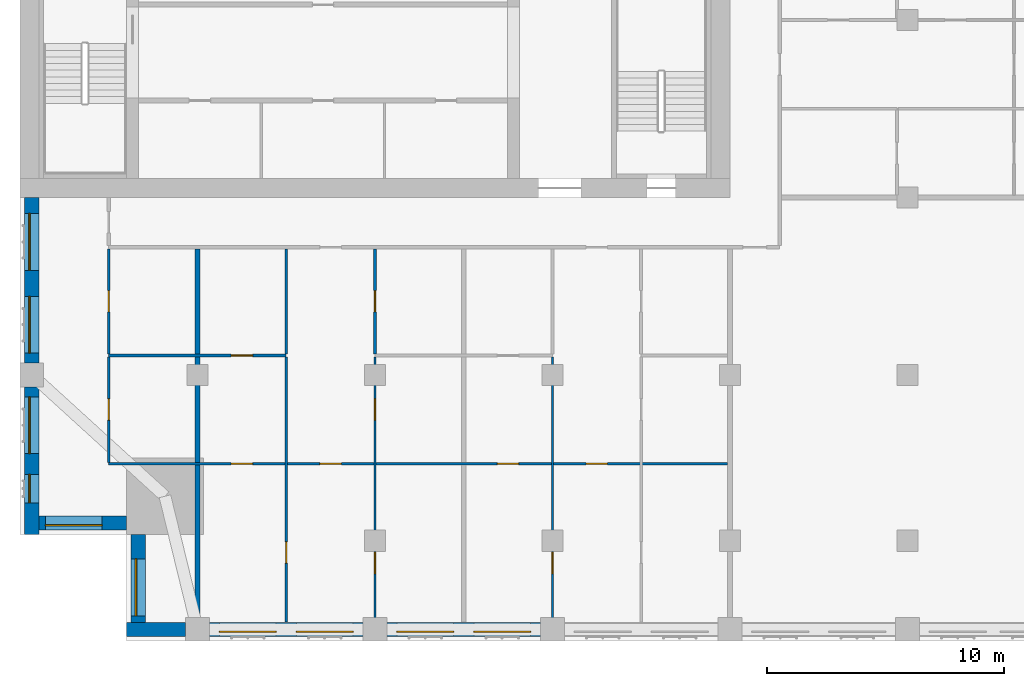
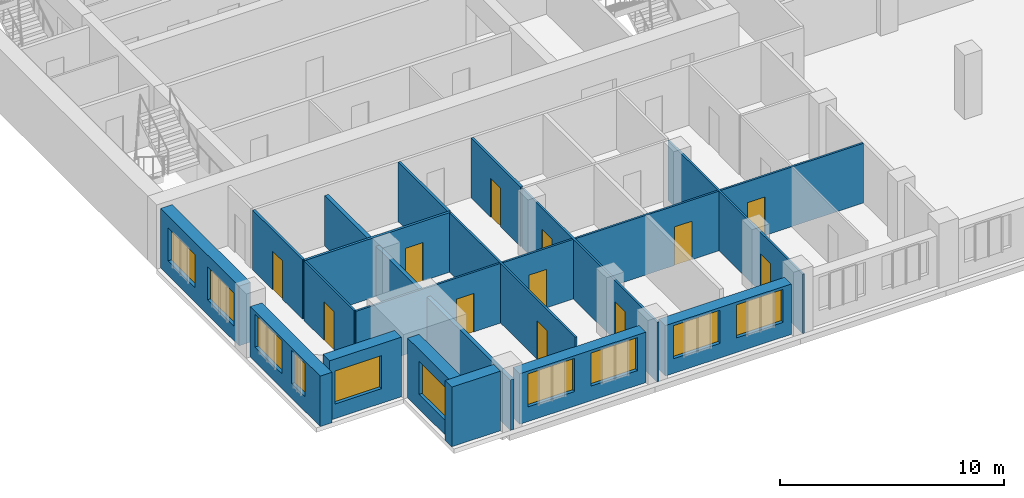
# One storey, part 6 of 14: 17 walls, 12 doors, 10 windows, 22 openings.
"""IFC4 building model written with IfcOpenShell, lengths in metres."""

from ifc_helpers import new_model, si_unit, direction, frame, frame_2d, origin, place, context, subcontext, project, spatial, rectangle, extrude, material, layer, layer_set, type_object, element, fill, save


model = new_model("IFC4")

# Units and contexts
model_context = context("Model", 3, precision=1e-05, world=origin(), true_north=direction((0.0, 1.0)))
body_context = subcontext(model_context, "Body", "Model", "MODEL_VIEW")
ifc_project = project(units=[si_unit("LENGTHUNIT", "METRE"), si_unit("AREAUNIT", "SQUARE_METRE"), si_unit("VOLUMEUNIT", "CUBIC_METRE"), si_unit("PLANEANGLEUNIT", "RADIAN"), si_unit("MASSUNIT", "GRAM", prefix="KILO")], contexts=[model_context])

# Site, building, storey
site_placement = place(None, origin())
site = spatial("IfcSite", under=ifc_project, at=site_placement, CompositionType="ELEMENT")
building_placement = place(site_placement, origin())
building = spatial("IfcBuilding", under=site, at=building_placement, Name="Tamorin Gate", CompositionType="ELEMENT")
storey_placement = place(building_placement, frame((0.0, 0.0, 207.199951171875)))
storey = spatial("IfcBuildingStorey", under=building, at=storey_placement, Name="L51", CompositionType="ELEMENT", Elevation=207.199951171875)

# Wall
ifc_material_1 = material(Name="Precast concrete C40/50", Category="concrete")
ifc_layer_1 = layer(ifc_material_1, 0.60009765625)
ifc_layer_set_1 = layer_set([ifc_layer_1], Name="Precast concrete C40/50")
wall_type_1 = type_object("IfcWallType", Name="Board-marked concrete facade panel 600", PredefinedType="SOLIDWALL", material=ifc_layer_set_1)
wall_1_placement = place(storey_placement, frame((34.5, 41.75, 0.0), z_axis=(0.0, 0.0, 1.0), x_axis=(1.0, 0.0, 0.0)))
element("IfcWall", 1, at=wall_1_placement, inside=storey, type_object=wall_type_1, Name="Facade panel", PredefinedType="SOLIDWALL", context=body_context, shape_type="SweptSolid", body=[
    extrude(rectangle(XDim=2.5, YDim=0.60009765625, at=frame_2d((1.25, 0.0))), origin(), (0.0, 0.0, 1.0), 3.25),
])

# Wall, openings, windows
wall_2_placement = place(storey_placement, frame((38.0, 41.75, 0.0), z_axis=(0.0, 0.0, 1.0), x_axis=(1.0, 0.0, 0.0)))
wall_2 = element("IfcWall", 2, at=wall_2_placement, inside=storey, type_object=wall_type_1, Name="Facade panel", PredefinedType="SOLIDWALL", context=body_context, shape_type="SweptSolid", body=[
    extrude(rectangle(XDim=6.5, YDim=0.60009765625, at=frame_2d((3.25, 0.0))), origin(), (0.0, 0.0, 1.0), 2.75),
])
opening_1_placement = place(wall_2_placement, frame((0.425048828125, 0.0, 0.800048828125)))
opening_1 = element("IfcOpeningElement", 3, at=opening_1_placement, cuts=wall_2, Name="Opening WN1", PredefinedType="OPENING", context=body_context, shape_type="SweptSolid", body=[
    extrude(rectangle(XDim=2.39990234375, YDim=1.800048828125, at=frame_2d((1.199951171875, 0.89990234375))), frame((0.0, 0.31005859375, 0.0), z_axis=(0.0, -1.0, 0.0), x_axis=(1.0, 0.0, 0.0)), (0.0, 0.0, 1.0), 0.6201171875),
])
opening_2_placement = place(wall_2_placement, frame((3.675048828125, 0.0, 0.800048828125)))
opening_2 = element("IfcOpeningElement", 4, at=opening_2_placement, cuts=wall_2, Name="Opening WN1", PredefinedType="OPENING", context=body_context, shape_type="SweptSolid", body=[
    extrude(rectangle(XDim=2.39990234375, YDim=1.800048828125, at=frame_2d((1.199951171875, 0.89990234375))), frame((0.0, 0.31005859375, 0.0), z_axis=(0.0, -1.0, 0.0), x_axis=(1.0, 0.0, 0.0)), (0.0, 0.0, 1.0), 0.6201171875),
])
ifc_material_2 = material(Name="Clear glass in aluminium frame", Category="aluminium")
window_type_1 = type_object("IfcWindowType", Name="Deep-set window 2400x1800", PartitioningType="SINGLE_PANEL", PredefinedType="WINDOW", material=ifc_material_2)
window_1_placement = place(opening_1_placement, origin())
window_1 = element("IfcWindow", 5, at=window_1_placement, inside=storey, type_object=window_type_1, Name="Deep-set window", OverallHeight=1.800048828125, OverallWidth=2.39990234375, PartitioningType="SINGLE_PANEL", PredefinedType="WINDOW", context=body_context, shape_type="SweptSolid", body=[
    extrude(rectangle(XDim=2.39990234375, YDim=1.800048828125, at=frame_2d((1.199951171875, 0.89990234375))), frame((0.0, -0.070068359375, 0.0), z_axis=(0.0, -1.0, 0.0), x_axis=(1.0, 0.0, 0.0)), (0.0, 0.0, 1.0), 0.06005859375),
])
fill(opening_1, window_1)
window_2_placement = place(opening_2_placement, origin())
window_2 = element("IfcWindow", 6, at=window_2_placement, inside=storey, type_object=window_type_1, Name="Deep-set window", OverallHeight=1.800048828125, OverallWidth=2.39990234375, PartitioningType="SINGLE_PANEL", PredefinedType="WINDOW", context=body_context, shape_type="SweptSolid", body=[
    extrude(rectangle(XDim=2.39990234375, YDim=1.800048828125, at=frame_2d((1.199951171875, 0.89990234375))), frame((0.0, -0.070068359375, 0.0), z_axis=(0.0, -1.0, 0.0), x_axis=(1.0, 0.0, 0.0)), (0.0, 0.0, 1.0), 0.06005859375),
])
fill(opening_2, window_2)

wall_3_placement = place(storey_placement, frame((45.5, 41.75, 0.0), z_axis=(0.0, 0.0, 1.0), x_axis=(1.0, 0.0, 0.0)))
wall_3 = element("IfcWall", 7, at=wall_3_placement, inside=storey, type_object=wall_type_1, Name="Facade panel", PredefinedType="SOLIDWALL", context=body_context, shape_type="SweptSolid", body=[
    extrude(rectangle(XDim=6.5, YDim=0.60009765625, at=frame_2d((3.25, 0.0))), origin(), (0.0, 0.0, 1.0), 2.75),
])
opening_3_placement = place(wall_3_placement, frame((0.425048828125, 0.0, 0.800048828125)))
opening_3 = element("IfcOpeningElement", 8, at=opening_3_placement, cuts=wall_3, Name="Opening WN1", PredefinedType="OPENING", context=body_context, shape_type="SweptSolid", body=[
    extrude(rectangle(XDim=2.39990234375, YDim=1.800048828125, at=frame_2d((1.199951171875, 0.89990234375))), frame((0.0, 0.31005859375, 0.0), z_axis=(0.0, -1.0, 0.0), x_axis=(1.0, 0.0, 0.0)), (0.0, 0.0, 1.0), 0.6201171875),
])
opening_4_placement = place(wall_3_placement, frame((3.675048828125, 0.0, 0.800048828125)))
opening_4 = element("IfcOpeningElement", 9, at=opening_4_placement, cuts=wall_3, Name="Opening WN1", PredefinedType="OPENING", context=body_context, shape_type="SweptSolid", body=[
    extrude(rectangle(XDim=2.39990234375, YDim=1.800048828125, at=frame_2d((1.199951171875, 0.89990234375))), frame((0.0, 0.31005859375, 0.0), z_axis=(0.0, -1.0, 0.0), x_axis=(1.0, 0.0, 0.0)), (0.0, 0.0, 1.0), 0.6201171875),
])
window_3_placement = place(opening_3_placement, origin())
window_3 = element("IfcWindow", 10, at=window_3_placement, inside=storey, type_object=window_type_1, Name="Deep-set window", OverallHeight=1.800048828125, OverallWidth=2.39990234375, PartitioningType="SINGLE_PANEL", PredefinedType="WINDOW", context=body_context, shape_type="SweptSolid", body=[
    extrude(rectangle(XDim=2.39990234375, YDim=1.800048828125, at=frame_2d((1.199951171875, 0.89990234375))), frame((0.0, -0.070068359375, 0.0), z_axis=(0.0, -1.0, 0.0), x_axis=(1.0, 0.0, 0.0)), (0.0, 0.0, 1.0), 0.06005859375),
])
fill(opening_3, window_3)
window_4_placement = place(opening_4_placement, origin())
window_4 = element("IfcWindow", 11, at=window_4_placement, inside=storey, type_object=window_type_1, Name="Deep-set window", OverallHeight=1.800048828125, OverallWidth=2.39990234375, PartitioningType="SINGLE_PANEL", PredefinedType="WINDOW", context=body_context, shape_type="SweptSolid", body=[
    extrude(rectangle(XDim=2.39990234375, YDim=1.800048828125, at=frame_2d((1.199951171875, 0.89990234375))), frame((0.0, -0.070068359375, 0.0), z_axis=(0.0, -1.0, 0.0), x_axis=(1.0, 0.0, 0.0)), (0.0, 0.0, 1.0), 0.06005859375),
])
fill(opening_4, window_4)

wall_4_placement = place(storey_placement, frame((30.5, 60.0, 0.0), z_axis=(0.0, 0.0, 1.0), x_axis=(0.0, -1.0, 0.0)))
wall_4 = element("IfcWall", 12, at=wall_4_placement, inside=storey, type_object=wall_type_1, Name="Facade panel", PredefinedType="SOLIDWALL", context=body_context, shape_type="SweptSolid", body=[
    extrude(rectangle(XDim=7.0, YDim=0.60009765625, at=frame_2d((3.5, 0.0))), origin(), (0.0, 0.0, 1.0), 3.25),
])
opening_5_placement = place(wall_4_placement, frame((4.175048828125, 0.0, 0.800048828125)))
opening_5 = element("IfcOpeningElement", 13, at=opening_5_placement, cuts=wall_4, Name="Opening WN1", PredefinedType="OPENING", context=body_context, shape_type="SweptSolid", body=[
    extrude(rectangle(XDim=2.39990234375, YDim=1.800048828125, at=frame_2d((1.199951171875, 0.89990234375))), frame((0.0, 0.31005859375, 0.0), z_axis=(0.0, -1.0, 0.0), x_axis=(1.0, 0.0, 0.0)), (0.0, 0.0, 1.0), 0.6201171875),
])
opening_6_placement = place(wall_4_placement, frame((0.675048828125, 0.0, 0.800048828125)))
opening_6 = element("IfcOpeningElement", 14, at=opening_6_placement, cuts=wall_4, Name="Opening WN1", PredefinedType="OPENING", context=body_context, shape_type="SweptSolid", body=[
    extrude(rectangle(XDim=2.39990234375, YDim=1.800048828125, at=frame_2d((1.199951171875, 0.89990234375))), frame((0.0, 0.31005859375, 0.0), z_axis=(0.0, -1.0, 0.0), x_axis=(1.0, 0.0, 0.0)), (0.0, 0.0, 1.0), 0.6201171875),
])
window_5_placement = place(opening_5_placement, origin())
window_5 = element("IfcWindow", 15, at=window_5_placement, inside=storey, type_object=window_type_1, Name="Deep-set window", OverallHeight=1.800048828125, OverallWidth=2.39990234375, PartitioningType="SINGLE_PANEL", PredefinedType="WINDOW", context=body_context, shape_type="SweptSolid", body=[
    extrude(rectangle(XDim=2.39990234375, YDim=1.800048828125, at=frame_2d((1.199951171875, 0.89990234375))), frame((0.0, -0.070068359375, 0.0), z_axis=(0.0, -1.0, 0.0), x_axis=(1.0, 0.0, 0.0)), (0.0, 0.0, 1.0), 0.06005859375),
])
fill(opening_5, window_5)
window_6_placement = place(opening_6_placement, origin())
window_6 = element("IfcWindow", 16, at=window_6_placement, inside=storey, type_object=window_type_1, Name="Deep-set window", OverallHeight=1.800048828125, OverallWidth=2.39990234375, PartitioningType="SINGLE_PANEL", PredefinedType="WINDOW", context=body_context, shape_type="SweptSolid", body=[
    extrude(rectangle(XDim=2.39990234375, YDim=1.800048828125, at=frame_2d((1.199951171875, 0.89990234375))), frame((0.0, -0.070068359375, 0.0), z_axis=(0.0, -1.0, 0.0), x_axis=(1.0, 0.0, 0.0)), (0.0, 0.0, 1.0), 0.06005859375),
])
fill(opening_6, window_6)

wall_5_placement = place(storey_placement, frame((30.5, 52.0, 0.0), z_axis=(0.0, 0.0, 1.0), x_axis=(0.0, -1.0, 0.0)))
wall_5 = element("IfcWall", 17, at=wall_5_placement, inside=storey, type_object=wall_type_1, Name="Facade panel", PredefinedType="SOLIDWALL", context=body_context, shape_type="SweptSolid", body=[
    extrude(rectangle(XDim=6.25, YDim=0.60009765625, at=frame_2d((3.125, 0.0))), origin(), (0.0, 0.0, 1.0), 2.75),
])
opening_7_placement = place(wall_5_placement, frame((3.699951171875, 0.0, 0.800048828125)))
opening_7 = element("IfcOpeningElement", 18, at=opening_7_placement, cuts=wall_5, Name="Opening WN3", PredefinedType="OPENING", context=body_context, shape_type="SweptSolid", body=[
    extrude(rectangle(XDim=1.199951171875, YDim=1.800048828125, at=frame_2d((0.60009765625, 0.89990234375))), frame((0.0, 0.31005859375, 0.0), z_axis=(0.0, -1.0, 0.0), x_axis=(1.0, 0.0, 0.0)), (0.0, 0.0, 1.0), 0.6201171875),
])
opening_8_placement = place(wall_5_placement, frame((0.425048828125, 0.0, 0.800048828125)))
opening_8 = element("IfcOpeningElement", 19, at=opening_8_placement, cuts=wall_5, Name="Opening WN1", PredefinedType="OPENING", context=body_context, shape_type="SweptSolid", body=[
    extrude(rectangle(XDim=2.39990234375, YDim=1.800048828125, at=frame_2d((1.199951171875, 0.89990234375))), frame((0.0, 0.31005859375, 0.0), z_axis=(0.0, -1.0, 0.0), x_axis=(1.0, 0.0, 0.0)), (0.0, 0.0, 1.0), 0.6201171875),
])
window_type_2 = type_object("IfcWindowType", Name="Deep-set window 1200x1800", PartitioningType="SINGLE_PANEL", PredefinedType="WINDOW", material=ifc_material_2)
window_7_placement = place(opening_7_placement, origin())
window_7 = element("IfcWindow", 20, at=window_7_placement, inside=storey, type_object=window_type_2, Name="Deep-set window", OverallHeight=1.800048828125, OverallWidth=1.199951171875, PartitioningType="SINGLE_PANEL", PredefinedType="WINDOW", context=body_context, shape_type="SweptSolid", body=[
    extrude(rectangle(XDim=1.199951171875, YDim=1.800048828125, at=frame_2d((0.60009765625, 0.89990234375))), frame((0.0, -0.070068359375, 0.0), z_axis=(0.0, -1.0, 0.0), x_axis=(1.0, 0.0, 0.0)), (0.0, 0.0, 1.0), 0.06005859375),
])
fill(opening_7, window_7)
window_8_placement = place(opening_8_placement, origin())
window_8 = element("IfcWindow", 21, at=window_8_placement, inside=storey, type_object=window_type_1, Name="Deep-set window", OverallHeight=1.800048828125, OverallWidth=2.39990234375, PartitioningType="SINGLE_PANEL", PredefinedType="WINDOW", context=body_context, shape_type="SweptSolid", body=[
    extrude(rectangle(XDim=2.39990234375, YDim=1.800048828125, at=frame_2d((1.199951171875, 0.89990234375))), frame((0.0, -0.070068359375, 0.0), z_axis=(0.0, -1.0, 0.0), x_axis=(1.0, 0.0, 0.0)), (0.0, 0.0, 1.0), 0.06005859375),
])
fill(opening_8, window_8)

# Wall, opening, window
wall_6_placement = place(storey_placement, frame((30.800048828125, 46.25, 0.0), z_axis=(0.0, 0.0, 1.0), x_axis=(1.0, 0.0, 0.0)))
wall_6 = element("IfcWall", 22, at=wall_6_placement, inside=storey, type_object=wall_type_1, Name="Facade panel", PredefinedType="SOLIDWALL", context=body_context, shape_type="SweptSolid", body=[
    extrude(rectangle(XDim=3.699951171875, YDim=0.60009765625, at=frame_2d((1.85009765625, 0.0))), origin(), (0.0, 0.0, 1.0), 3.25),
])
opening_9_placement = place(wall_6_placement, frame((0.27490234375, 0.0, 0.800048828125)))
opening_9 = element("IfcOpeningElement", 23, at=opening_9_placement, cuts=wall_6, Name="Opening WN1", PredefinedType="OPENING", context=body_context, shape_type="SweptSolid", body=[
    extrude(rectangle(XDim=2.39990234375, YDim=1.800048828125, at=frame_2d((1.199951171875, 0.89990234375))), frame((0.0, 0.31005859375, 0.0), z_axis=(0.0, -1.0, 0.0), x_axis=(1.0, 0.0, 0.0)), (0.0, 0.0, 1.0), 0.6201171875),
])
window_9_placement = place(opening_9_placement, origin())
window_9 = element("IfcWindow", 24, at=window_9_placement, inside=storey, type_object=window_type_1, Name="Deep-set window", OverallHeight=1.800048828125, OverallWidth=2.39990234375, PartitioningType="SINGLE_PANEL", PredefinedType="WINDOW", context=body_context, shape_type="SweptSolid", body=[
    extrude(rectangle(XDim=2.39990234375, YDim=1.800048828125, at=frame_2d((1.199951171875, 0.89990234375))), frame((0.0, -0.070068359375, 0.0), z_axis=(0.0, -1.0, 0.0), x_axis=(1.0, 0.0, 0.0)), (0.0, 0.0, 1.0), 0.06005859375),
])
fill(opening_9, window_9)

wall_7_placement = place(storey_placement, frame((35.0, 45.75, 0.0), z_axis=(0.0, 0.0, 1.0), x_axis=(0.0, -1.0, 0.0)))
wall_7 = element("IfcWall", 25, at=wall_7_placement, inside=storey, type_object=wall_type_1, Name="Facade panel", PredefinedType="SOLIDWALL", context=body_context, shape_type="SweptSolid", body=[
    extrude(rectangle(XDim=3.699951171875, YDim=0.60009765625, at=frame_2d((1.85009765625, 0.0))), origin(), (0.0, 0.0, 1.0), 3.25),
])
opening_10_placement = place(wall_7_placement, frame((1.02490234375, 0.0, 0.800048828125)))
opening_10 = element("IfcOpeningElement", 26, at=opening_10_placement, cuts=wall_7, Name="Opening WN1", PredefinedType="OPENING", context=body_context, shape_type="SweptSolid", body=[
    extrude(rectangle(XDim=2.39990234375, YDim=1.800048828125, at=frame_2d((1.199951171875, 0.89990234375))), frame((0.0, 0.31005859375, 0.0), z_axis=(0.0, -1.0, 0.0), x_axis=(1.0, 0.0, 0.0)), (0.0, 0.0, 1.0), 0.6201171875),
])
window_10_placement = place(opening_10_placement, origin())
window_10 = element("IfcWindow", 27, at=window_10_placement, inside=storey, type_object=window_type_1, Name="Deep-set window", OverallHeight=1.800048828125, OverallWidth=2.39990234375, PartitioningType="SINGLE_PANEL", PredefinedType="WINDOW", context=body_context, shape_type="SweptSolid", body=[
    extrude(rectangle(XDim=2.39990234375, YDim=1.800048828125, at=frame_2d((1.199951171875, 0.89990234375))), frame((0.0, -0.070068359375, 0.0), z_axis=(0.0, -1.0, 0.0), x_axis=(1.0, 0.0, 0.0)), (0.0, 0.0, 1.0), 0.06005859375),
])
fill(opening_10, window_10)

# Wall
ifc_material_3 = material(Name="Gypsum board partition")
ifc_layer_2 = layer(ifc_material_3, 0.199951171875)
ifc_layer_set_2 = layer_set([ifc_layer_2], Name="Demising wall 200")
wall_type_2 = type_object("IfcWallType", Name="Demising wall 200", PredefinedType="PARTITIONING", material=ifc_layer_set_2)
wall_8_placement = place(storey_placement, frame((37.5, 41.25, 0.0), z_axis=(0.0, 0.0, 1.0), x_axis=(0.0, 1.0, 0.0)))
element("IfcWall", 28, at=wall_8_placement, inside=storey, type_object=wall_type_2, Name="Demising wall 200", PredefinedType="PARTITIONING", context=body_context, shape_type="SweptSolid", body=[
    extrude(rectangle(XDim=16.574951171875, YDim=0.199951171875, at=frame_2d((8.28759765625, 0.0))), origin(), (0.0, 0.0, 1.0), 2.75),
])

# Wall, openings, doors
ifc_layer_3 = layer(ifc_material_3, 0.10009765625)
ifc_layer_set_3 = layer_set([ifc_layer_3], Name="Room partition 100")
wall_type_3 = type_object("IfcWallType", Name="Room partition 100", PredefinedType="PARTITIONING", material=ifc_layer_set_3)
wall_9_placement = place(storey_placement, frame((33.75, 48.75, 0.0), z_axis=(0.0, 0.0, 1.0), x_axis=(1.0, 0.0, 0.0)))
wall_9 = element("IfcWall", 29, at=wall_9_placement, inside=storey, type_object=wall_type_3, Name="Room partition 100", PredefinedType="PARTITIONING", context=body_context, shape_type="SweptSolid", body=[
    extrude(rectangle(XDim=26.14990234375, YDim=0.10009765625, at=frame_2d((13.074951171875, 0.0))), origin(), (0.0, 0.0, 1.0), 3.25),
])
opening_11_placement = place(wall_9_placement, frame((5.175048828125, 0.0, 0.0)))
opening_11 = element("IfcOpeningElement", 30, at=opening_11_placement, cuts=wall_9, Name="Opening DR1004", PredefinedType="OPENING", context=body_context, shape_type="SweptSolid", body=[
    extrude(rectangle(XDim=0.89990234375, YDim=2.10009765625, at=frame_2d((0.449951171875, 1.050048828125))), frame((0.0, 0.06005859375, 0.0), z_axis=(0.0, -1.0, 0.0), x_axis=(1.0, 0.0, 0.0)), (0.0, 0.0, 1.0), 0.1201171875),
])
opening_12_placement = place(wall_9_placement, frame((8.925048828125, 0.0, 0.0)))
opening_12 = element("IfcOpeningElement", 31, at=opening_12_placement, cuts=wall_9, Name="Opening DR1007", PredefinedType="OPENING", context=body_context, shape_type="SweptSolid", body=[
    extrude(rectangle(XDim=0.89990234375, YDim=2.10009765625, at=frame_2d((0.449951171875, 1.050048828125))), frame((0.0, 0.06005859375, 0.0), z_axis=(0.0, -1.0, 0.0), x_axis=(1.0, 0.0, 0.0)), (0.0, 0.0, 1.0), 0.1201171875),
])
opening_13_placement = place(wall_9_placement, frame((16.425048828125, 0.0, 0.0)))
opening_13 = element("IfcOpeningElement", 32, at=opening_13_placement, cuts=wall_9, Name="Opening DR1012", PredefinedType="OPENING", context=body_context, shape_type="SweptSolid", body=[
    extrude(rectangle(XDim=0.89990234375, YDim=2.10009765625, at=frame_2d((0.449951171875, 1.050048828125))), frame((0.0, 0.06005859375, 0.0), z_axis=(0.0, -1.0, 0.0), x_axis=(1.0, 0.0, 0.0)), (0.0, 0.0, 1.0), 0.1201171875),
])
opening_14_placement = place(wall_9_placement, frame((20.175048828125, 0.0, 0.0)))
opening_14 = element("IfcOpeningElement", 33, at=opening_14_placement, cuts=wall_9, Name="Opening DR1015", PredefinedType="OPENING", context=body_context, shape_type="SweptSolid", body=[
    extrude(rectangle(XDim=0.89990234375, YDim=2.10009765625, at=frame_2d((0.449951171875, 1.050048828125))), frame((0.0, 0.06005859375, 0.0), z_axis=(0.0, -1.0, 0.0), x_axis=(1.0, 0.0, 0.0)), (0.0, 0.0, 1.0), 0.1201171875),
])
ifc_material_4 = material(Name="Timber door leaf", Category="wood")
door_type = type_object("IfcDoorType", Name="Door 900 x 2100", OperationType="NOTDEFINED", PredefinedType="DOOR", material=ifc_material_4)
door_1_placement = place(opening_11_placement, origin())
door_1 = element("IfcDoor", 34, at=door_1_placement, inside=storey, type_object=door_type, Name="Door DR1004", OperationType="SINGLE_SWING_LEFT", OverallHeight=2.10009765625, OverallWidth=0.89990234375, PredefinedType="DOOR", context=body_context, shape_type="SweptSolid", body=[
    extrude(rectangle(XDim=0.89990234375, YDim=2.10009765625, at=frame_2d((0.449951171875, 1.050048828125))), frame((0.0, 0.02490234375, 0.0), z_axis=(0.0, -1.0, 0.0), x_axis=(1.0, 0.0, 0.0)), (0.0, 0.0, 1.0), 0.050048828125),
])
fill(opening_11, door_1)
door_2_placement = place(opening_12_placement, origin())
door_2 = element("IfcDoor", 35, at=door_2_placement, inside=storey, type_object=door_type, Name="Door DR1007", OperationType="SINGLE_SWING_LEFT", OverallHeight=2.10009765625, OverallWidth=0.89990234375, PredefinedType="DOOR", context=body_context, shape_type="SweptSolid", body=[
    extrude(rectangle(XDim=0.89990234375, YDim=2.10009765625, at=frame_2d((0.449951171875, 1.050048828125))), frame((0.0, 0.02490234375, 0.0), z_axis=(0.0, -1.0, 0.0), x_axis=(1.0, 0.0, 0.0)), (0.0, 0.0, 1.0), 0.050048828125),
])
fill(opening_12, door_2)
door_3_placement = place(opening_13_placement, origin())
door_3 = element("IfcDoor", 36, at=door_3_placement, inside=storey, type_object=door_type, Name="Door DR1012", OperationType="SINGLE_SWING_LEFT", OverallHeight=2.10009765625, OverallWidth=0.89990234375, PredefinedType="DOOR", context=body_context, shape_type="SweptSolid", body=[
    extrude(rectangle(XDim=0.89990234375, YDim=2.10009765625, at=frame_2d((0.449951171875, 1.050048828125))), frame((0.0, 0.02490234375, 0.0), z_axis=(0.0, -1.0, 0.0), x_axis=(1.0, 0.0, 0.0)), (0.0, 0.0, 1.0), 0.050048828125),
])
fill(opening_13, door_3)
door_4_placement = place(opening_14_placement, origin())
door_4 = element("IfcDoor", 37, at=door_4_placement, inside=storey, type_object=door_type, Name="Door DR1015", OperationType="SINGLE_SWING_LEFT", OverallHeight=2.10009765625, OverallWidth=0.89990234375, PredefinedType="DOOR", context=body_context, shape_type="SweptSolid", body=[
    extrude(rectangle(XDim=0.89990234375, YDim=2.10009765625, at=frame_2d((0.449951171875, 1.050048828125))), frame((0.0, 0.02490234375, 0.0), z_axis=(0.0, -1.0, 0.0), x_axis=(1.0, 0.0, 0.0)), (0.0, 0.0, 1.0), 0.050048828125),
])
fill(opening_14, door_4)

# Wall, opening, door
wall_10_placement = place(storey_placement, frame((33.75, 48.800048828125, 0.0), z_axis=(0.0, 0.0, 1.0), x_axis=(0.0, 1.0, 0.0)))
wall_10 = element("IfcWall", 38, at=wall_10_placement, inside=storey, type_object=wall_type_3, Name="Room partition 100", PredefinedType="PARTITIONING", context=body_context, shape_type="SweptSolid", body=[
    extrude(rectangle(XDim=4.46240234375, YDim=0.10009765625, at=frame_2d((2.231201171875, 0.0))), origin(), (0.0, 0.0, 1.0), 3.25),
])
opening_15_placement = place(wall_10_placement, frame((1.78759765625, 0.0, 0.0)))
opening_15 = element("IfcOpeningElement", 39, at=opening_15_placement, cuts=wall_10, Name="Opening DR1002", PredefinedType="OPENING", context=body_context, shape_type="SweptSolid", body=[
    extrude(rectangle(XDim=0.89990234375, YDim=2.10009765625, at=frame_2d((0.449951171875, 1.050048828125))), frame((0.0, 0.06005859375, 0.0), z_axis=(0.0, -1.0, 0.0), x_axis=(1.0, 0.0, 0.0)), (0.0, 0.0, 1.0), 0.1201171875),
])
door_5_placement = place(opening_15_placement, origin())
door_5 = element("IfcDoor", 40, at=door_5_placement, inside=storey, type_object=door_type, Name="Door DR1002", OperationType="SINGLE_SWING_RIGHT", OverallHeight=2.10009765625, OverallWidth=0.89990234375, PredefinedType="DOOR", context=body_context, shape_type="SweptSolid", body=[
    extrude(rectangle(XDim=0.89990234375, YDim=2.10009765625, at=frame_2d((0.449951171875, 1.050048828125))), frame((0.0, 0.02490234375, 0.0), z_axis=(0.0, -1.0, 0.0), x_axis=(1.0, 0.0, 0.0)), (0.0, 0.0, 1.0), 0.050048828125),
])
fill(opening_15, door_5)

wall_11_placement = place(storey_placement, frame((41.25, 42.06005859375, 0.0), z_axis=(0.0, 0.0, 1.0), x_axis=(0.0, 1.0, 0.0)))
wall_11 = element("IfcWall", 41, at=wall_11_placement, inside=storey, type_object=wall_type_3, Name="Room partition 100", PredefinedType="PARTITIONING", context=body_context, shape_type="SweptSolid", body=[
    extrude(rectangle(XDim=11.202392578125, YDim=0.10009765625, at=frame_2d((5.60107421875, 0.0))), origin(), (0.0, 0.0, 1.0), 3.25),
])
opening_16_placement = place(wall_11_placement, frame((2.489990234375, 0.0, 0.0)))
opening_16 = element("IfcOpeningElement", 42, at=opening_16_placement, cuts=wall_11, Name="Opening DR1010", PredefinedType="OPENING", context=body_context, shape_type="SweptSolid", body=[
    extrude(rectangle(XDim=0.89990234375, YDim=2.10009765625, at=frame_2d((0.449951171875, 1.050048828125))), frame((0.0, 0.06005859375, 0.0), z_axis=(0.0, -1.0, 0.0), x_axis=(1.0, 0.0, 0.0)), (0.0, 0.0, 1.0), 0.1201171875),
])
door_6_placement = place(opening_16_placement, origin())
door_6 = element("IfcDoor", 43, at=door_6_placement, inside=storey, type_object=door_type, Name="Door DR1010", OperationType="SINGLE_SWING_LEFT", OverallHeight=2.10009765625, OverallWidth=0.89990234375, PredefinedType="DOOR", context=body_context, shape_type="SweptSolid", body=[
    extrude(rectangle(XDim=0.89990234375, YDim=2.10009765625, at=frame_2d((0.449951171875, 1.050048828125))), frame((0.0, 0.02490234375, 0.0), z_axis=(0.0, -1.0, 0.0), x_axis=(1.0, 0.0, 0.0)), (0.0, 0.0, 1.0), 0.050048828125),
])
fill(opening_16, door_6)

# Wall, openings, doors
wall_12_placement = place(storey_placement, frame((45.0, 41.25, 0.0), z_axis=(0.0, 0.0, 1.0), x_axis=(0.0, 1.0, 0.0)))
wall_12 = element("IfcWall", 44, at=wall_12_placement, inside=storey, type_object=wall_type_3, Name="Room partition 100", PredefinedType="PARTITIONING", context=body_context, shape_type="SweptSolid", body=[
    extrude(rectangle(XDim=12.012451171875, YDim=0.10009765625, at=frame_2d((6.00634765625, 0.0))), origin(), (0.0, 0.0, 1.0), 3.25),
])
opening_17_placement = place(wall_12_placement, frame((9.33740234375, 0.0, 0.0)))
opening_17 = element("IfcOpeningElement", 45, at=opening_17_placement, cuts=wall_12, Name="Opening DR1008", PredefinedType="OPENING", context=body_context, shape_type="SweptSolid", body=[
    extrude(rectangle(XDim=0.89990234375, YDim=2.10009765625, at=frame_2d((0.449951171875, 1.050048828125))), frame((0.0, 0.06005859375, 0.0), z_axis=(0.0, -1.0, 0.0), x_axis=(1.0, 0.0, 0.0)), (0.0, 0.0, 1.0), 0.1201171875),
])
opening_18_placement = place(wall_12_placement, frame((2.85009765625, 0.0, 0.0)))
opening_18 = element("IfcOpeningElement", 46, at=opening_18_placement, cuts=wall_12, Name="Opening DR1011", PredefinedType="OPENING", context=body_context, shape_type="SweptSolid", body=[
    extrude(rectangle(XDim=0.89990234375, YDim=2.10009765625, at=frame_2d((0.449951171875, 1.050048828125))), frame((0.0, 0.06005859375, 0.0), z_axis=(0.0, -1.0, 0.0), x_axis=(1.0, 0.0, 0.0)), (0.0, 0.0, 1.0), 0.1201171875),
])
door_7_placement = place(opening_17_placement, origin())
door_7 = element("IfcDoor", 47, at=door_7_placement, inside=storey, type_object=door_type, Name="Door DR1008", OperationType="SINGLE_SWING_RIGHT", OverallHeight=2.10009765625, OverallWidth=0.89990234375, PredefinedType="DOOR", context=body_context, shape_type="SweptSolid", body=[
    extrude(rectangle(XDim=0.89990234375, YDim=2.10009765625, at=frame_2d((0.449951171875, 1.050048828125))), frame((0.0, 0.02490234375, 0.0), z_axis=(0.0, -1.0, 0.0), x_axis=(1.0, 0.0, 0.0)), (0.0, 0.0, 1.0), 0.050048828125),
])
fill(opening_17, door_7)
door_8_placement = place(opening_18_placement, origin())
door_8 = element("IfcDoor", 48, at=door_8_placement, inside=storey, type_object=door_type, Name="Door DR1011", OperationType="SINGLE_SWING_LEFT", OverallHeight=2.10009765625, OverallWidth=0.89990234375, PredefinedType="DOOR", context=body_context, shape_type="SweptSolid", body=[
    extrude(rectangle(XDim=0.89990234375, YDim=2.10009765625, at=frame_2d((0.449951171875, 1.050048828125))), frame((0.0, 0.02490234375, 0.0), z_axis=(0.0, -1.0, 0.0), x_axis=(1.0, 0.0, 0.0)), (0.0, 0.0, 1.0), 0.050048828125),
])
fill(opening_18, door_8)

# Wall, opening, door
wall_13_placement = place(storey_placement, frame((52.5, 41.25, 0.0), z_axis=(0.0, 0.0, 1.0), x_axis=(0.0, 1.0, 0.0)))
wall_13 = element("IfcWall", 49, at=wall_13_placement, inside=storey, type_object=wall_type_3, Name="Room partition 100", PredefinedType="PARTITIONING", context=body_context, shape_type="SweptSolid", body=[
    extrude(rectangle(XDim=12.012451171875, YDim=0.10009765625, at=frame_2d((6.00634765625, 0.0))), origin(), (0.0, 0.0, 1.0), 3.25),
])
opening_19_placement = place(wall_13_placement, frame((2.85009765625, 0.0, 0.0)))
opening_19 = element("IfcOpeningElement", 50, at=opening_19_placement, cuts=wall_13, Name="Opening DR1018", PredefinedType="OPENING", context=body_context, shape_type="SweptSolid", body=[
    extrude(rectangle(XDim=0.89990234375, YDim=2.10009765625, at=frame_2d((0.449951171875, 1.050048828125))), frame((0.0, 0.06005859375, 0.0), z_axis=(0.0, -1.0, 0.0), x_axis=(1.0, 0.0, 0.0)), (0.0, 0.0, 1.0), 0.1201171875),
])
door_9_placement = place(opening_19_placement, origin())
door_9 = element("IfcDoor", 51, at=door_9_placement, inside=storey, type_object=door_type, Name="Door DR1018", OperationType="SINGLE_SWING_LEFT", OverallHeight=2.10009765625, OverallWidth=0.89990234375, PredefinedType="DOOR", context=body_context, shape_type="SweptSolid", body=[
    extrude(rectangle(XDim=0.89990234375, YDim=2.10009765625, at=frame_2d((0.449951171875, 1.050048828125))), frame((0.0, 0.02490234375, 0.0), z_axis=(0.0, -1.0, 0.0), x_axis=(1.0, 0.0, 0.0)), (0.0, 0.0, 1.0), 0.050048828125),
])
fill(opening_19, door_9)

ifc_layer_4 = layer(ifc_material_3, 0.125)
ifc_layer_set_4 = layer_set([ifc_layer_4], Name="Wet wall 125")
wall_type_4 = type_object("IfcWallType", Name="Wet wall 125", PredefinedType="PARTITIONING", material=ifc_layer_set_4)
wall_14_placement = place(storey_placement, frame((33.75, 53.324951171875, 0.0), z_axis=(0.0, 0.0, 1.0), x_axis=(1.0, 0.0, 0.0)))
wall_14 = element("IfcWall", 52, at=wall_14_placement, inside=storey, type_object=wall_type_4, Name="Wet wall 125", PredefinedType="PARTITIONING", context=body_context, shape_type="SweptSolid", body=[
    extrude(rectangle(XDim=7.5, YDim=0.125, at=frame_2d((3.75, 0.0))), origin(), (0.0, 0.0, 1.0), 3.25),
])
opening_20_placement = place(wall_14_placement, frame((5.175048828125, 0.0, 0.0)))
opening_20 = element("IfcOpeningElement", 53, at=opening_20_placement, cuts=wall_14, Name="Opening DR1005", PredefinedType="OPENING", context=body_context, shape_type="SweptSolid", body=[
    extrude(rectangle(XDim=0.89990234375, YDim=2.10009765625, at=frame_2d((0.449951171875, 1.050048828125))), frame((0.0, 0.072509765625, 0.0), z_axis=(0.0, -1.0, 0.0), x_axis=(1.0, 0.0, 0.0)), (0.0, 0.0, 1.0), 0.14501953125),
])
door_10_placement = place(opening_20_placement, origin())
door_10 = element("IfcDoor", 54, at=door_10_placement, inside=storey, type_object=door_type, Name="Door DR1005", OperationType="SINGLE_SWING_LEFT", OverallHeight=2.10009765625, OverallWidth=0.89990234375, PredefinedType="DOOR", context=body_context, shape_type="SweptSolid", body=[
    extrude(rectangle(XDim=0.89990234375, YDim=2.10009765625, at=frame_2d((0.449951171875, 1.050048828125))), frame((0.0, 0.02490234375, 0.0), z_axis=(0.0, -1.0, 0.0), x_axis=(1.0, 0.0, 0.0)), (0.0, 0.0, 1.0), 0.050048828125),
])
fill(opening_20, door_10)

wall_15_placement = place(storey_placement, frame((33.75, 53.387451171875, 0.0), z_axis=(0.0, 0.0, 1.0), x_axis=(0.0, 1.0, 0.0)))
wall_15 = element("IfcWall", 55, at=wall_15_placement, inside=storey, type_object=wall_type_4, Name="Wet wall 125", PredefinedType="PARTITIONING", context=body_context, shape_type="SweptSolid", body=[
    extrude(rectangle(XDim=4.4375, YDim=0.125, at=frame_2d((2.21875, 0.0))), origin(), (0.0, 0.0, 1.0), 3.25),
])
opening_21_placement = place(wall_15_placement, frame((1.77490234375, 0.0, 0.0)))
opening_21 = element("IfcOpeningElement", 56, at=opening_21_placement, cuts=wall_15, Name="Opening DR1003", PredefinedType="OPENING", context=body_context, shape_type="SweptSolid", body=[
    extrude(rectangle(XDim=0.89990234375, YDim=2.10009765625, at=frame_2d((0.449951171875, 1.050048828125))), frame((0.0, 0.072509765625, 0.0), z_axis=(0.0, -1.0, 0.0), x_axis=(1.0, 0.0, 0.0)), (0.0, 0.0, 1.0), 0.14501953125),
])
door_11_placement = place(opening_21_placement, origin())
door_11 = element("IfcDoor", 57, at=door_11_placement, inside=storey, type_object=door_type, Name="Door DR1003", OperationType="SINGLE_SWING_RIGHT", OverallHeight=2.10009765625, OverallWidth=0.89990234375, PredefinedType="DOOR", context=body_context, shape_type="SweptSolid", body=[
    extrude(rectangle(XDim=0.89990234375, YDim=2.10009765625, at=frame_2d((0.449951171875, 1.050048828125))), frame((0.0, 0.02490234375, 0.0), z_axis=(0.0, -1.0, 0.0), x_axis=(1.0, 0.0, 0.0)), (0.0, 0.0, 1.0), 0.050048828125),
])
fill(opening_21, door_11)

# Wall
wall_16_placement = place(storey_placement, frame((41.25, 53.387451171875, 0.0), z_axis=(0.0, 0.0, 1.0), x_axis=(0.0, 1.0, 0.0)))
element("IfcWall", 58, at=wall_16_placement, inside=storey, type_object=wall_type_4, Name="Wet wall 125", PredefinedType="PARTITIONING", context=body_context, shape_type="SweptSolid", body=[
    extrude(rectangle(XDim=4.4375, YDim=0.125, at=frame_2d((2.21875, 0.0))), origin(), (0.0, 0.0, 1.0), 3.25),
])

# Wall, opening, door
wall_17_placement = place(storey_placement, frame((45.0, 53.387451171875, 0.0), z_axis=(0.0, 0.0, 1.0), x_axis=(0.0, 1.0, 0.0)))
wall_17 = element("IfcWall", 59, at=wall_17_placement, inside=storey, type_object=wall_type_4, Name="Wet wall 125", PredefinedType="PARTITIONING", context=body_context, shape_type="SweptSolid", body=[
    extrude(rectangle(XDim=4.4375, YDim=0.125, at=frame_2d((2.21875, 0.0))), origin(), (0.0, 0.0, 1.0), 3.25),
])
opening_22_placement = place(wall_17_placement, frame((1.77490234375, 0.0, 0.0)))
opening_22 = element("IfcOpeningElement", 60, at=opening_22_placement, cuts=wall_17, Name="Opening DR1009", PredefinedType="OPENING", context=body_context, shape_type="SweptSolid", body=[
    extrude(rectangle(XDim=0.89990234375, YDim=2.10009765625, at=frame_2d((0.449951171875, 1.050048828125))), frame((0.0, 0.072509765625, 0.0), z_axis=(0.0, -1.0, 0.0), x_axis=(1.0, 0.0, 0.0)), (0.0, 0.0, 1.0), 0.14501953125),
])
door_12_placement = place(opening_22_placement, origin())
door_12 = element("IfcDoor", 61, at=door_12_placement, inside=storey, type_object=door_type, Name="Door DR1009", OperationType="SINGLE_SWING_RIGHT", OverallHeight=2.10009765625, OverallWidth=0.89990234375, PredefinedType="DOOR", context=body_context, shape_type="SweptSolid", body=[
    extrude(rectangle(XDim=0.89990234375, YDim=2.10009765625, at=frame_2d((0.449951171875, 1.050048828125))), frame((0.0, 0.02490234375, 0.0), z_axis=(0.0, -1.0, 0.0), x_axis=(1.0, 0.0, 0.0)), (0.0, 0.0, 1.0), 0.050048828125),
])
fill(opening_22, door_12)

save(model, "model.ifc")
